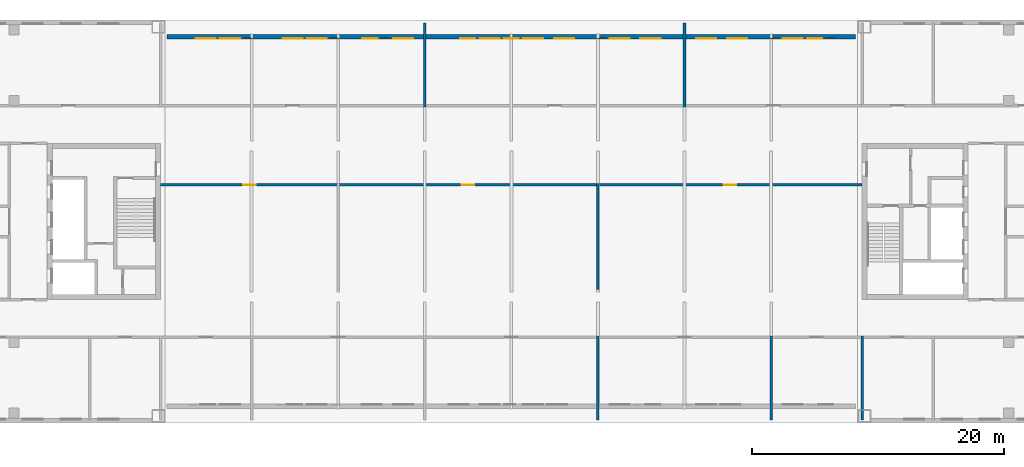
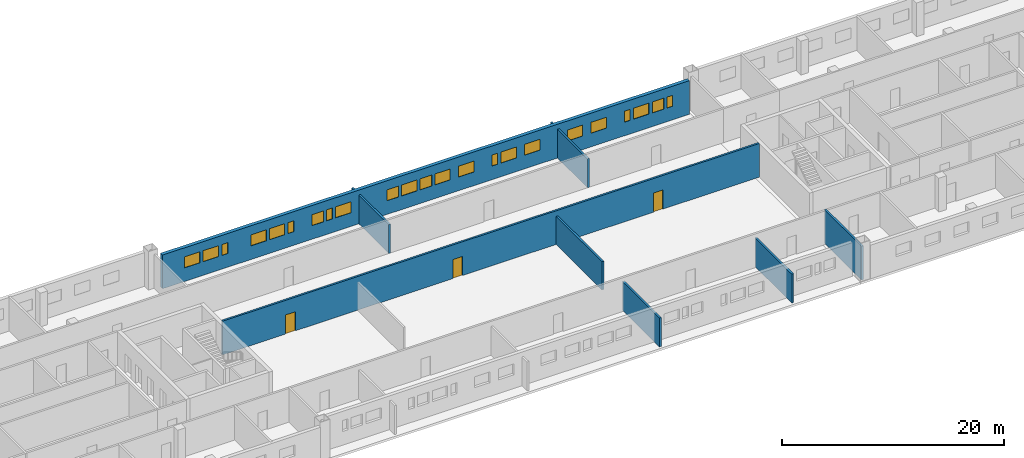
# One storey, part 8 of 13: 23 windows, 8 walls, 3 doors, 26 openings.
"""IFC4 building model written with IfcOpenShell, lengths in metres."""

from ifc_helpers import new_model, si_unit, direction, frame, frame_2d, origin, place, context, subcontext, project, spatial, rectangle, extrude, material, layer, layer_set, type_object, element, fill, save


model = new_model("IFC4")

# Units and contexts
model_context = context("Model", 3, precision=1e-05, world=origin(), true_north=direction((0.0, 1.0)))
body_context = subcontext(model_context, "Body", "Model", "MODEL_VIEW")
ifc_project = project(units=[si_unit("LENGTHUNIT", "METRE"), si_unit("AREAUNIT", "SQUARE_METRE"), si_unit("VOLUMEUNIT", "CUBIC_METRE"), si_unit("PLANEANGLEUNIT", "RADIAN"), si_unit("MASSUNIT", "GRAM", prefix="KILO")], contexts=[model_context])

# Site, building, storey
site_placement = place(None, origin())
site = spatial("IfcSite", under=ifc_project, at=site_placement, CompositionType="ELEMENT")
building_placement = place(site_placement, origin())
building = spatial("IfcBuilding", under=site, at=building_placement, Name="Tuart Gate Housing", CompositionType="ELEMENT")
storey_placement = place(building_placement, frame((0.0, 0.0, 198.60009765625)))
storey = spatial("IfcBuildingStorey", under=building, at=storey_placement, Name="L56", CompositionType="ELEMENT", Elevation=198.60009765625)

# Wall, openings, windows
ifc_material_1 = material(Name="Brick", Category="masonry")
ifc_layer_1 = layer(ifc_material_1, 0.360107421875)
ifc_layer_set_1 = layer_set([ifc_layer_1], Name="Brick pier and spandrel wall 360")
wall_type_1 = type_object("IfcWallType", Name="Brick pier and spandrel wall 360", PredefinedType="STANDARD", material=ifc_layer_set_1)
wall_1_placement = place(storey_placement, frame((130.85009765625, 84.659912109375, 0.0), z_axis=(0.0, 0.0, 1.0), x_axis=(-1.0, 0.0, 0.0)))
wall_1 = element("IfcWall", 1, at=wall_1_placement, inside=storey, type_object=wall_type_1, Name="External wall BLK-N L56", PredefinedType="STANDARD", context=body_context, shape_type="SweptSolid", body=[
    extrude(rectangle(XDim=54.7001953125, YDim=0.360107421875, at=frame_2d((27.35009765625, 0.0))), origin(), (0.0, 0.0, 1.0), 3.699951171875),
])
opening_1_placement = place(wall_1_placement, frame((1.75, 0.0, 1.5)))
opening_1 = element("IfcOpeningElement", 2, at=opening_1_placement, cuts=wall_1, Name="Opening W3C", PredefinedType="OPENING", context=body_context, shape_type="SweptSolid", body=[
    extrude(rectangle(XDim=0.60009765625, YDim=1.199951171875, at=frame_2d((0.300048828125, 0.60009765625))), frame((0.0, 0.18994140625, 0.0), z_axis=(0.0, -1.0, 0.0), x_axis=(1.0, 0.0, 0.0)), (0.0, 0.0, 1.0), 0.380126953125),
])
opening_2_placement = place(wall_1_placement, frame((4.206298828125, 0.0, 1.5)))
opening_2 = element("IfcOpeningElement", 3, at=opening_2_placement, cuts=wall_1, Name="Opening W3", PredefinedType="OPENING", context=body_context, shape_type="SweptSolid", body=[
    extrude(rectangle(XDim=1.60009765625, YDim=1.199951171875, at=frame_2d((0.800048828125, 0.60009765625))), frame((0.0, 0.18994140625, 0.0), z_axis=(0.0, -1.0, 0.0), x_axis=(1.0, 0.0, 0.0)), (0.0, 0.0, 1.0), 0.380126953125),
])
opening_3_placement = place(wall_1_placement, frame((2.64990234375, 0.0, 1.5)))
opening_3 = element("IfcOpeningElement", 4, at=opening_3_placement, cuts=wall_1, Name="Opening W3A", PredefinedType="OPENING", context=body_context, shape_type="SweptSolid", body=[
    extrude(rectangle(XDim=1.199951171875, YDim=1.199951171875, at=frame_2d((0.60009765625, 0.60009765625))), frame((0.0, 0.18994140625, 0.0), z_axis=(0.0, -1.0, 0.0), x_axis=(1.0, 0.0, 0.0)), (0.0, 0.0, 1.0), 0.380126953125),
])
opening_4_placement = place(wall_1_placement, frame((11.081298828125, 0.0, 1.5)))
opening_4 = element("IfcOpeningElement", 5, at=opening_4_placement, cuts=wall_1, Name="Opening W3", PredefinedType="OPENING", context=body_context, shape_type="SweptSolid", body=[
    extrude(rectangle(XDim=1.60009765625, YDim=1.199951171875, at=frame_2d((0.800048828125, 0.60009765625))), frame((0.0, 0.18994140625, 0.0), z_axis=(0.0, -1.0, 0.0), x_axis=(1.0, 0.0, 0.0)), (0.0, 0.0, 1.0), 0.380126953125),
])
opening_5_placement = place(wall_1_placement, frame((15.5, 0.0, 1.5)))
opening_5 = element("IfcOpeningElement", 6, at=opening_5_placement, cuts=wall_1, Name="Opening W3", PredefinedType="OPENING", context=body_context, shape_type="SweptSolid", body=[
    extrude(rectangle(XDim=1.60009765625, YDim=1.199951171875, at=frame_2d((0.800048828125, 0.60009765625))), frame((0.0, 0.18994140625, 0.0), z_axis=(0.0, -1.0, 0.0), x_axis=(1.0, 0.0, 0.0)), (0.0, 0.0, 1.0), 0.380126953125),
])
opening_6_placement = place(wall_1_placement, frame((17.956298828125, 0.0, 1.5)))
opening_6 = element("IfcOpeningElement", 7, at=opening_6_placement, cuts=wall_1, Name="Opening W3", PredefinedType="OPENING", context=body_context, shape_type="SweptSolid", body=[
    extrude(rectangle(XDim=1.60009765625, YDim=1.199951171875, at=frame_2d((0.800048828125, 0.60009765625))), frame((0.0, 0.18994140625, 0.0), z_axis=(0.0, -1.0, 0.0), x_axis=(1.0, 0.0, 0.0)), (0.0, 0.0, 1.0), 0.380126953125),
])
opening_7_placement = place(wall_1_placement, frame((19.89990234375, 0.0, 1.5)))
opening_7 = element("IfcOpeningElement", 8, at=opening_7_placement, cuts=wall_1, Name="Opening W3C", PredefinedType="OPENING", context=body_context, shape_type="SweptSolid", body=[
    extrude(rectangle(XDim=0.60009765625, YDim=1.199951171875, at=frame_2d((0.300048828125, 0.60009765625))), frame((0.0, 0.18994140625, 0.0), z_axis=(0.0, -1.0, 0.0), x_axis=(1.0, 0.0, 0.0)), (0.0, 0.0, 1.0), 0.380126953125),
])
opening_8_placement = place(wall_1_placement, frame((24.831298828125, 0.0, 1.5)))
opening_8 = element("IfcOpeningElement", 9, at=opening_8_placement, cuts=wall_1, Name="Opening W3", PredefinedType="OPENING", context=body_context, shape_type="SweptSolid", body=[
    extrude(rectangle(XDim=1.60009765625, YDim=1.199951171875, at=frame_2d((0.800048828125, 0.60009765625))), frame((0.0, 0.18994140625, 0.0), z_axis=(0.0, -1.0, 0.0), x_axis=(1.0, 0.0, 0.0)), (0.0, 0.0, 1.0), 0.380126953125),
])
opening_9_placement = place(wall_1_placement, frame((28.268798828125, 0.0, 1.5)))
opening_9 = element("IfcOpeningElement", 10, at=opening_9_placement, cuts=wall_1, Name="Opening W3", PredefinedType="OPENING", context=body_context, shape_type="SweptSolid", body=[
    extrude(rectangle(XDim=1.60009765625, YDim=1.199951171875, at=frame_2d((0.800048828125, 0.60009765625))), frame((0.0, 0.18994140625, 0.0), z_axis=(0.0, -1.0, 0.0), x_axis=(1.0, 0.0, 0.0)), (0.0, 0.0, 1.0), 0.380126953125),
])
opening_10_placement = place(wall_1_placement, frame((22.35009765625, 0.0, 1.5)))
opening_10 = element("IfcOpeningElement", 11, at=opening_10_placement, cuts=wall_1, Name="Opening W3", PredefinedType="OPENING", context=body_context, shape_type="SweptSolid", body=[
    extrude(rectangle(XDim=1.60009765625, YDim=1.199951171875, at=frame_2d((0.800048828125, 0.60009765625))), frame((0.0, 0.18994140625, 0.0), z_axis=(0.0, -1.0, 0.0), x_axis=(1.0, 0.0, 0.0)), (0.0, 0.0, 1.0), 0.380126953125),
])
opening_11_placement = place(wall_1_placement, frame((35.143798828125, 0.0, 1.5)))
opening_11 = element("IfcOpeningElement", 12, at=opening_11_placement, cuts=wall_1, Name="Opening W3", PredefinedType="OPENING", context=body_context, shape_type="SweptSolid", body=[
    extrude(rectangle(XDim=1.60009765625, YDim=1.199951171875, at=frame_2d((0.800048828125, 0.60009765625))), frame((0.0, 0.18994140625, 0.0), z_axis=(0.0, -1.0, 0.0), x_axis=(1.0, 0.0, 0.0)), (0.0, 0.0, 1.0), 0.380126953125),
])
opening_12_placement = place(wall_1_placement, frame((37.074951171875, 0.0, 1.5)))
opening_12 = element("IfcOpeningElement", 13, at=opening_12_placement, cuts=wall_1, Name="Opening W3C", PredefinedType="OPENING", context=body_context, shape_type="SweptSolid", body=[
    extrude(rectangle(XDim=0.60009765625, YDim=1.199951171875, at=frame_2d((0.300048828125, 0.60009765625))), frame((0.0, 0.18994140625, 0.0), z_axis=(0.0, -1.0, 0.0), x_axis=(1.0, 0.0, 0.0)), (0.0, 0.0, 1.0), 0.380126953125),
])
opening_13_placement = place(wall_1_placement, frame((42.018798828125, 0.0, 1.5)))
opening_13 = element("IfcOpeningElement", 14, at=opening_13_placement, cuts=wall_1, Name="Opening W3", PredefinedType="OPENING", context=body_context, shape_type="SweptSolid", body=[
    extrude(rectangle(XDim=1.60009765625, YDim=1.199951171875, at=frame_2d((0.800048828125, 0.60009765625))), frame((0.0, 0.18994140625, 0.0), z_axis=(0.0, -1.0, 0.0), x_axis=(1.0, 0.0, 0.0)), (0.0, 0.0, 1.0), 0.380126953125),
])
opening_14_placement = place(wall_1_placement, frame((37.97509765625, 0.0, 1.5)))
opening_14 = element("IfcOpeningElement", 15, at=opening_14_placement, cuts=wall_1, Name="Opening W3A", PredefinedType="OPENING", context=body_context, shape_type="SweptSolid", body=[
    extrude(rectangle(XDim=1.199951171875, YDim=1.199951171875, at=frame_2d((0.60009765625, 0.60009765625))), frame((0.0, 0.18994140625, 0.0), z_axis=(0.0, -1.0, 0.0), x_axis=(1.0, 0.0, 0.0)), (0.0, 0.0, 1.0), 0.380126953125),
])
opening_15_placement = place(wall_1_placement, frame((48.893798828125, 0.0, 1.5)))
opening_15 = element("IfcOpeningElement", 16, at=opening_15_placement, cuts=wall_1, Name="Opening W3", PredefinedType="OPENING", context=body_context, shape_type="SweptSolid", body=[
    extrude(rectangle(XDim=1.60009765625, YDim=1.199951171875, at=frame_2d((0.800048828125, 0.60009765625))), frame((0.0, 0.18994140625, 0.0), z_axis=(0.0, -1.0, 0.0), x_axis=(1.0, 0.0, 0.0)), (0.0, 0.0, 1.0), 0.380126953125),
])
opening_16_placement = place(wall_1_placement, frame((41.074951171875, 0.0, 1.5)))
opening_16 = element("IfcOpeningElement", 17, at=opening_16_placement, cuts=wall_1, Name="Opening W3C", PredefinedType="OPENING", context=body_context, shape_type="SweptSolid", body=[
    extrude(rectangle(XDim=0.60009765625, YDim=1.199951171875, at=frame_2d((0.300048828125, 0.60009765625))), frame((0.0, 0.18994140625, 0.0), z_axis=(0.0, -1.0, 0.0), x_axis=(1.0, 0.0, 0.0)), (0.0, 0.0, 1.0), 0.380126953125),
])
opening_17_placement = place(wall_1_placement, frame((6.14990234375, 0.0, 1.5)))
opening_17 = element("IfcOpeningElement", 18, at=opening_17_placement, cuts=wall_1, Name="Opening W3C", PredefinedType="OPENING", context=body_context, shape_type="SweptSolid", body=[
    extrude(rectangle(XDim=0.60009765625, YDim=1.199951171875, at=frame_2d((0.300048828125, 0.60009765625))), frame((0.0, 0.18994140625, 0.0), z_axis=(0.0, -1.0, 0.0), x_axis=(1.0, 0.0, 0.0)), (0.0, 0.0, 1.0), 0.380126953125),
])
opening_18_placement = place(wall_1_placement, frame((8.60009765625, 0.0, 1.5)))
opening_18 = element("IfcOpeningElement", 19, at=opening_18_placement, cuts=wall_1, Name="Opening W3", PredefinedType="OPENING", context=body_context, shape_type="SweptSolid", body=[
    extrude(rectangle(XDim=1.60009765625, YDim=1.199951171875, at=frame_2d((0.800048828125, 0.60009765625))), frame((0.0, 0.18994140625, 0.0), z_axis=(0.0, -1.0, 0.0), x_axis=(1.0, 0.0, 0.0)), (0.0, 0.0, 1.0), 0.380126953125),
])
opening_19_placement = place(wall_1_placement, frame((26.75, 0.0, 1.5)))
opening_19 = element("IfcOpeningElement", 20, at=opening_19_placement, cuts=wall_1, Name="Opening W3A", PredefinedType="OPENING", context=body_context, shape_type="SweptSolid", body=[
    extrude(rectangle(XDim=1.199951171875, YDim=1.199951171875, at=frame_2d((0.60009765625, 0.60009765625))), frame((0.0, 0.18994140625, 0.0), z_axis=(0.0, -1.0, 0.0), x_axis=(1.0, 0.0, 0.0)), (0.0, 0.0, 1.0), 0.380126953125),
])
opening_20_placement = place(wall_1_placement, frame((30.199951171875, 0.0, 1.5)))
opening_20 = element("IfcOpeningElement", 21, at=opening_20_placement, cuts=wall_1, Name="Opening W3A", PredefinedType="OPENING", context=body_context, shape_type="SweptSolid", body=[
    extrude(rectangle(XDim=1.199951171875, YDim=1.199951171875, at=frame_2d((0.60009765625, 0.60009765625))), frame((0.0, 0.18994140625, 0.0), z_axis=(0.0, -1.0, 0.0), x_axis=(1.0, 0.0, 0.0)), (0.0, 0.0, 1.0), 0.380126953125),
])
opening_21_placement = place(wall_1_placement, frame((43.925048828125, 0.0, 1.5)))
opening_21 = element("IfcOpeningElement", 22, at=opening_21_placement, cuts=wall_1, Name="Opening W3", PredefinedType="OPENING", context=body_context, shape_type="SweptSolid", body=[
    extrude(rectangle(XDim=1.60009765625, YDim=1.199951171875, at=frame_2d((0.800048828125, 0.60009765625))), frame((0.0, 0.18994140625, 0.0), z_axis=(0.0, -1.0, 0.0), x_axis=(1.0, 0.0, 0.0)), (0.0, 0.0, 1.0), 0.380126953125),
])
opening_22_placement = place(wall_1_placement, frame((47.925048828125, 0.0, 1.5)))
opening_22 = element("IfcOpeningElement", 23, at=opening_22_placement, cuts=wall_1, Name="Opening W3C", PredefinedType="OPENING", context=body_context, shape_type="SweptSolid", body=[
    extrude(rectangle(XDim=0.60009765625, YDim=1.199951171875, at=frame_2d((0.300048828125, 0.60009765625))), frame((0.0, 0.18994140625, 0.0), z_axis=(0.0, -1.0, 0.0), x_axis=(1.0, 0.0, 0.0)), (0.0, 0.0, 1.0), 0.380126953125),
])
opening_23_placement = place(wall_1_placement, frame((50.824951171875, 0.0, 1.5)))
opening_23 = element("IfcOpeningElement", 24, at=opening_23_placement, cuts=wall_1, Name="Opening W3", PredefinedType="OPENING", context=body_context, shape_type="SweptSolid", body=[
    extrude(rectangle(XDim=1.60009765625, YDim=1.199951171875, at=frame_2d((0.800048828125, 0.60009765625))), frame((0.0, 0.18994140625, 0.0), z_axis=(0.0, -1.0, 0.0), x_axis=(1.0, 0.0, 0.0)), (0.0, 0.0, 1.0), 0.380126953125),
])
ifc_material_2 = material(Name="Aluminium louvre blades", Category="aluminium")
window_type_1 = type_object("IfcWindowType", Name="Louvre window 1200 x 1200", PartitioningType="DOUBLE_PANEL_HORIZONTAL", PredefinedType="WINDOW", material=ifc_material_2)
window_1_placement = place(opening_3_placement, origin())
window_1 = element("IfcWindow", 25, at=window_1_placement, inside=storey, type_object=window_type_1, Name="Louvre W3A", OverallHeight=1.199951171875, OverallWidth=1.199951171875, PartitioningType="DOUBLE_PANEL_HORIZONTAL", PredefinedType="WINDOW", context=body_context, shape_type="SweptSolid", body=[
    extrude(rectangle(XDim=1.199951171875, YDim=1.199951171875, at=frame_2d((0.60009765625, 0.60009765625))), frame((0.0, 0.150146484375, 0.0), z_axis=(0.0, -1.0, 0.0), x_axis=(1.0, 0.0, 0.0)), (0.0, 0.0, 1.0), 0.06005859375),
])
fill(opening_3, window_1)
window_2_placement = place(opening_14_placement, origin())
window_2 = element("IfcWindow", 26, at=window_2_placement, inside=storey, type_object=window_type_1, Name="Louvre W3A", OverallHeight=1.199951171875, OverallWidth=1.199951171875, PartitioningType="DOUBLE_PANEL_HORIZONTAL", PredefinedType="WINDOW", context=body_context, shape_type="SweptSolid", body=[
    extrude(rectangle(XDim=1.199951171875, YDim=1.199951171875, at=frame_2d((0.60009765625, 0.60009765625))), frame((0.0, 0.150146484375, 0.0), z_axis=(0.0, -1.0, 0.0), x_axis=(1.0, 0.0, 0.0)), (0.0, 0.0, 1.0), 0.06005859375),
])
fill(opening_14, window_2)
window_3_placement = place(opening_19_placement, origin())
window_3 = element("IfcWindow", 27, at=window_3_placement, inside=storey, type_object=window_type_1, Name="Louvre W3A", OverallHeight=1.199951171875, OverallWidth=1.199951171875, PartitioningType="DOUBLE_PANEL_HORIZONTAL", PredefinedType="WINDOW", context=body_context, shape_type="SweptSolid", body=[
    extrude(rectangle(XDim=1.199951171875, YDim=1.199951171875, at=frame_2d((0.60009765625, 0.60009765625))), frame((0.0, 0.150146484375, 0.0), z_axis=(0.0, -1.0, 0.0), x_axis=(1.0, 0.0, 0.0)), (0.0, 0.0, 1.0), 0.06005859375),
])
fill(opening_19, window_3)
window_4_placement = place(opening_20_placement, origin())
window_4 = element("IfcWindow", 28, at=window_4_placement, inside=storey, type_object=window_type_1, Name="Louvre W3A", OverallHeight=1.199951171875, OverallWidth=1.199951171875, PartitioningType="DOUBLE_PANEL_HORIZONTAL", PredefinedType="WINDOW", context=body_context, shape_type="SweptSolid", body=[
    extrude(rectangle(XDim=1.199951171875, YDim=1.199951171875, at=frame_2d((0.60009765625, 0.60009765625))), frame((0.0, 0.150146484375, 0.0), z_axis=(0.0, -1.0, 0.0), x_axis=(1.0, 0.0, 0.0)), (0.0, 0.0, 1.0), 0.06005859375),
])
fill(opening_20, window_4)
ifc_material_3 = material(Name="Aluminium louvre blades", Category="aluminium")
window_type_2 = type_object("IfcWindowType", Name="Louvre window 1600 x 1200", PartitioningType="DOUBLE_PANEL_HORIZONTAL", PredefinedType="WINDOW", material=ifc_material_3)
window_5_placement = place(opening_2_placement, origin())
window_5 = element("IfcWindow", 29, at=window_5_placement, inside=storey, type_object=window_type_2, Name="Louvre W3", OverallHeight=1.199951171875, OverallWidth=1.60009765625, PartitioningType="DOUBLE_PANEL_HORIZONTAL", PredefinedType="WINDOW", context=body_context, shape_type="SweptSolid", body=[
    extrude(rectangle(XDim=1.60009765625, YDim=1.199951171875, at=frame_2d((0.800048828125, 0.60009765625))), frame((0.0, 0.150146484375, 0.0), z_axis=(0.0, -1.0, 0.0), x_axis=(1.0, 0.0, 0.0)), (0.0, 0.0, 1.0), 0.06005859375),
])
fill(opening_2, window_5)
window_6_placement = place(opening_4_placement, origin())
window_6 = element("IfcWindow", 30, at=window_6_placement, inside=storey, type_object=window_type_2, Name="Louvre W3", OverallHeight=1.199951171875, OverallWidth=1.60009765625, PartitioningType="DOUBLE_PANEL_HORIZONTAL", PredefinedType="WINDOW", context=body_context, shape_type="SweptSolid", body=[
    extrude(rectangle(XDim=1.60009765625, YDim=1.199951171875, at=frame_2d((0.800048828125, 0.60009765625))), frame((0.0, 0.150146484375, 0.0), z_axis=(0.0, -1.0, 0.0), x_axis=(1.0, 0.0, 0.0)), (0.0, 0.0, 1.0), 0.06005859375),
])
fill(opening_4, window_6)
window_7_placement = place(opening_5_placement, origin())
window_7 = element("IfcWindow", 31, at=window_7_placement, inside=storey, type_object=window_type_2, Name="Louvre W3", OverallHeight=1.199951171875, OverallWidth=1.60009765625, PartitioningType="DOUBLE_PANEL_HORIZONTAL", PredefinedType="WINDOW", context=body_context, shape_type="SweptSolid", body=[
    extrude(rectangle(XDim=1.60009765625, YDim=1.199951171875, at=frame_2d((0.800048828125, 0.60009765625))), frame((0.0, 0.150146484375, 0.0), z_axis=(0.0, -1.0, 0.0), x_axis=(1.0, 0.0, 0.0)), (0.0, 0.0, 1.0), 0.06005859375),
])
fill(opening_5, window_7)
window_8_placement = place(opening_6_placement, origin())
window_8 = element("IfcWindow", 32, at=window_8_placement, inside=storey, type_object=window_type_2, Name="Louvre W3", OverallHeight=1.199951171875, OverallWidth=1.60009765625, PartitioningType="DOUBLE_PANEL_HORIZONTAL", PredefinedType="WINDOW", context=body_context, shape_type="SweptSolid", body=[
    extrude(rectangle(XDim=1.60009765625, YDim=1.199951171875, at=frame_2d((0.800048828125, 0.60009765625))), frame((0.0, 0.150146484375, 0.0), z_axis=(0.0, -1.0, 0.0), x_axis=(1.0, 0.0, 0.0)), (0.0, 0.0, 1.0), 0.06005859375),
])
fill(opening_6, window_8)
window_9_placement = place(opening_8_placement, origin())
window_9 = element("IfcWindow", 33, at=window_9_placement, inside=storey, type_object=window_type_2, Name="Louvre W3", OverallHeight=1.199951171875, OverallWidth=1.60009765625, PartitioningType="DOUBLE_PANEL_HORIZONTAL", PredefinedType="WINDOW", context=body_context, shape_type="SweptSolid", body=[
    extrude(rectangle(XDim=1.60009765625, YDim=1.199951171875, at=frame_2d((0.800048828125, 0.60009765625))), frame((0.0, 0.150146484375, 0.0), z_axis=(0.0, -1.0, 0.0), x_axis=(1.0, 0.0, 0.0)), (0.0, 0.0, 1.0), 0.06005859375),
])
fill(opening_8, window_9)
window_10_placement = place(opening_9_placement, origin())
window_10 = element("IfcWindow", 34, at=window_10_placement, inside=storey, type_object=window_type_2, Name="Louvre W3", OverallHeight=1.199951171875, OverallWidth=1.60009765625, PartitioningType="DOUBLE_PANEL_HORIZONTAL", PredefinedType="WINDOW", context=body_context, shape_type="SweptSolid", body=[
    extrude(rectangle(XDim=1.60009765625, YDim=1.199951171875, at=frame_2d((0.800048828125, 0.60009765625))), frame((0.0, 0.150146484375, 0.0), z_axis=(0.0, -1.0, 0.0), x_axis=(1.0, 0.0, 0.0)), (0.0, 0.0, 1.0), 0.06005859375),
])
fill(opening_9, window_10)
window_11_placement = place(opening_10_placement, origin())
window_11 = element("IfcWindow", 35, at=window_11_placement, inside=storey, type_object=window_type_2, Name="Louvre W3", OverallHeight=1.199951171875, OverallWidth=1.60009765625, PartitioningType="DOUBLE_PANEL_HORIZONTAL", PredefinedType="WINDOW", context=body_context, shape_type="SweptSolid", body=[
    extrude(rectangle(XDim=1.60009765625, YDim=1.199951171875, at=frame_2d((0.800048828125, 0.60009765625))), frame((0.0, 0.150146484375, 0.0), z_axis=(0.0, -1.0, 0.0), x_axis=(1.0, 0.0, 0.0)), (0.0, 0.0, 1.0), 0.06005859375),
])
fill(opening_10, window_11)
window_12_placement = place(opening_11_placement, origin())
window_12 = element("IfcWindow", 36, at=window_12_placement, inside=storey, type_object=window_type_2, Name="Louvre W3", OverallHeight=1.199951171875, OverallWidth=1.60009765625, PartitioningType="DOUBLE_PANEL_HORIZONTAL", PredefinedType="WINDOW", context=body_context, shape_type="SweptSolid", body=[
    extrude(rectangle(XDim=1.60009765625, YDim=1.199951171875, at=frame_2d((0.800048828125, 0.60009765625))), frame((0.0, 0.150146484375, 0.0), z_axis=(0.0, -1.0, 0.0), x_axis=(1.0, 0.0, 0.0)), (0.0, 0.0, 1.0), 0.06005859375),
])
fill(opening_11, window_12)
window_13_placement = place(opening_13_placement, origin())
window_13 = element("IfcWindow", 37, at=window_13_placement, inside=storey, type_object=window_type_2, Name="Louvre W3", OverallHeight=1.199951171875, OverallWidth=1.60009765625, PartitioningType="DOUBLE_PANEL_HORIZONTAL", PredefinedType="WINDOW", context=body_context, shape_type="SweptSolid", body=[
    extrude(rectangle(XDim=1.60009765625, YDim=1.199951171875, at=frame_2d((0.800048828125, 0.60009765625))), frame((0.0, 0.150146484375, 0.0), z_axis=(0.0, -1.0, 0.0), x_axis=(1.0, 0.0, 0.0)), (0.0, 0.0, 1.0), 0.06005859375),
])
fill(opening_13, window_13)
window_14_placement = place(opening_15_placement, origin())
window_14 = element("IfcWindow", 38, at=window_14_placement, inside=storey, type_object=window_type_2, Name="Louvre W3", OverallHeight=1.199951171875, OverallWidth=1.60009765625, PartitioningType="DOUBLE_PANEL_HORIZONTAL", PredefinedType="WINDOW", context=body_context, shape_type="SweptSolid", body=[
    extrude(rectangle(XDim=1.60009765625, YDim=1.199951171875, at=frame_2d((0.800048828125, 0.60009765625))), frame((0.0, 0.150146484375, 0.0), z_axis=(0.0, -1.0, 0.0), x_axis=(1.0, 0.0, 0.0)), (0.0, 0.0, 1.0), 0.06005859375),
])
fill(opening_15, window_14)
window_15_placement = place(opening_18_placement, origin())
window_15 = element("IfcWindow", 39, at=window_15_placement, inside=storey, type_object=window_type_2, Name="Louvre W3", OverallHeight=1.199951171875, OverallWidth=1.60009765625, PartitioningType="DOUBLE_PANEL_HORIZONTAL", PredefinedType="WINDOW", context=body_context, shape_type="SweptSolid", body=[
    extrude(rectangle(XDim=1.60009765625, YDim=1.199951171875, at=frame_2d((0.800048828125, 0.60009765625))), frame((0.0, 0.150146484375, 0.0), z_axis=(0.0, -1.0, 0.0), x_axis=(1.0, 0.0, 0.0)), (0.0, 0.0, 1.0), 0.06005859375),
])
fill(opening_18, window_15)
window_16_placement = place(opening_21_placement, origin())
window_16 = element("IfcWindow", 40, at=window_16_placement, inside=storey, type_object=window_type_2, Name="Louvre W3", OverallHeight=1.199951171875, OverallWidth=1.60009765625, PartitioningType="DOUBLE_PANEL_HORIZONTAL", PredefinedType="WINDOW", context=body_context, shape_type="SweptSolid", body=[
    extrude(rectangle(XDim=1.60009765625, YDim=1.199951171875, at=frame_2d((0.800048828125, 0.60009765625))), frame((0.0, 0.150146484375, 0.0), z_axis=(0.0, -1.0, 0.0), x_axis=(1.0, 0.0, 0.0)), (0.0, 0.0, 1.0), 0.06005859375),
])
fill(opening_21, window_16)
window_17_placement = place(opening_23_placement, origin())
window_17 = element("IfcWindow", 41, at=window_17_placement, inside=storey, type_object=window_type_2, Name="Louvre W3", OverallHeight=1.199951171875, OverallWidth=1.60009765625, PartitioningType="DOUBLE_PANEL_HORIZONTAL", PredefinedType="WINDOW", context=body_context, shape_type="SweptSolid", body=[
    extrude(rectangle(XDim=1.60009765625, YDim=1.199951171875, at=frame_2d((0.800048828125, 0.60009765625))), frame((0.0, 0.150146484375, 0.0), z_axis=(0.0, -1.0, 0.0), x_axis=(1.0, 0.0, 0.0)), (0.0, 0.0, 1.0), 0.06005859375),
])
fill(opening_23, window_17)
ifc_material_4 = material(Name="Aluminium louvre blades", Category="aluminium")
window_type_3 = type_object("IfcWindowType", Name="Louvre window 600 x 1200", PartitioningType="DOUBLE_PANEL_HORIZONTAL", PredefinedType="WINDOW", material=ifc_material_4)
window_18_placement = place(opening_1_placement, origin())
window_18 = element("IfcWindow", 42, at=window_18_placement, inside=storey, type_object=window_type_3, Name="Louvre W3C", OverallHeight=1.199951171875, OverallWidth=0.60009765625, PartitioningType="DOUBLE_PANEL_HORIZONTAL", PredefinedType="WINDOW", context=body_context, shape_type="SweptSolid", body=[
    extrude(rectangle(XDim=0.60009765625, YDim=1.199951171875, at=frame_2d((0.300048828125, 0.60009765625))), frame((0.0, 0.150146484375, 0.0), z_axis=(0.0, -1.0, 0.0), x_axis=(1.0, 0.0, 0.0)), (0.0, 0.0, 1.0), 0.06005859375),
])
fill(opening_1, window_18)
window_19_placement = place(opening_7_placement, origin())
window_19 = element("IfcWindow", 43, at=window_19_placement, inside=storey, type_object=window_type_3, Name="Louvre W3C", OverallHeight=1.199951171875, OverallWidth=0.60009765625, PartitioningType="DOUBLE_PANEL_HORIZONTAL", PredefinedType="WINDOW", context=body_context, shape_type="SweptSolid", body=[
    extrude(rectangle(XDim=0.60009765625, YDim=1.199951171875, at=frame_2d((0.300048828125, 0.60009765625))), frame((0.0, 0.150146484375, 0.0), z_axis=(0.0, -1.0, 0.0), x_axis=(1.0, 0.0, 0.0)), (0.0, 0.0, 1.0), 0.06005859375),
])
fill(opening_7, window_19)
window_20_placement = place(opening_12_placement, origin())
window_20 = element("IfcWindow", 44, at=window_20_placement, inside=storey, type_object=window_type_3, Name="Louvre W3C", OverallHeight=1.199951171875, OverallWidth=0.60009765625, PartitioningType="DOUBLE_PANEL_HORIZONTAL", PredefinedType="WINDOW", context=body_context, shape_type="SweptSolid", body=[
    extrude(rectangle(XDim=0.60009765625, YDim=1.199951171875, at=frame_2d((0.300048828125, 0.60009765625))), frame((0.0, 0.150146484375, 0.0), z_axis=(0.0, -1.0, 0.0), x_axis=(1.0, 0.0, 0.0)), (0.0, 0.0, 1.0), 0.06005859375),
])
fill(opening_12, window_20)
window_21_placement = place(opening_16_placement, origin())
window_21 = element("IfcWindow", 45, at=window_21_placement, inside=storey, type_object=window_type_3, Name="Louvre W3C", OverallHeight=1.199951171875, OverallWidth=0.60009765625, PartitioningType="DOUBLE_PANEL_HORIZONTAL", PredefinedType="WINDOW", context=body_context, shape_type="SweptSolid", body=[
    extrude(rectangle(XDim=0.60009765625, YDim=1.199951171875, at=frame_2d((0.300048828125, 0.60009765625))), frame((0.0, 0.150146484375, 0.0), z_axis=(0.0, -1.0, 0.0), x_axis=(1.0, 0.0, 0.0)), (0.0, 0.0, 1.0), 0.06005859375),
])
fill(opening_16, window_21)
window_22_placement = place(opening_17_placement, origin())
window_22 = element("IfcWindow", 46, at=window_22_placement, inside=storey, type_object=window_type_3, Name="Louvre W3C", OverallHeight=1.199951171875, OverallWidth=0.60009765625, PartitioningType="DOUBLE_PANEL_HORIZONTAL", PredefinedType="WINDOW", context=body_context, shape_type="SweptSolid", body=[
    extrude(rectangle(XDim=0.60009765625, YDim=1.199951171875, at=frame_2d((0.300048828125, 0.60009765625))), frame((0.0, 0.150146484375, 0.0), z_axis=(0.0, -1.0, 0.0), x_axis=(1.0, 0.0, 0.0)), (0.0, 0.0, 1.0), 0.06005859375),
])
fill(opening_17, window_22)
window_23_placement = place(opening_22_placement, origin())
window_23 = element("IfcWindow", 47, at=window_23_placement, inside=storey, type_object=window_type_3, Name="Louvre W3C", OverallHeight=1.199951171875, OverallWidth=0.60009765625, PartitioningType="DOUBLE_PANEL_HORIZONTAL", PredefinedType="WINDOW", context=body_context, shape_type="SweptSolid", body=[
    extrude(rectangle(XDim=0.60009765625, YDim=1.199951171875, at=frame_2d((0.300048828125, 0.60009765625))), frame((0.0, 0.150146484375, 0.0), z_axis=(0.0, -1.0, 0.0), x_axis=(1.0, 0.0, 0.0)), (0.0, 0.0, 1.0), 0.06005859375),
])
fill(opening_22, window_23)

# Wall, openings, doors
ifc_material_5 = material(Name="Concrete masonry 15 MPa", Category="masonry")
ifc_layer_2 = layer(ifc_material_5, 0.199951171875)
ifc_layer_set_2 = layer_set([ifc_layer_2], Name="Enclosure wall masonry 200")
wall_type_2 = type_object("IfcWallType", Name="Enclosure wall masonry 200", PredefinedType="PARTITIONING", material=ifc_layer_set_2)
wall_2_placement = place(storey_placement, frame((75.639892578125, 72.89990234375, 0.0), z_axis=(0.0, 0.0, 1.0), x_axis=(1.0, 0.0, 0.0)))
wall_2 = element("IfcWall", 48, at=wall_2_placement, inside=storey, type_object=wall_type_2, Name="Enclosure wall masonry 200", PredefinedType="PARTITIONING", context=body_context, shape_type="SweptSolid", body=[
    extrude(rectangle(XDim=55.72021484375, YDim=0.199951171875, at=frame_2d((27.860107421875, 0.0))), origin(), (0.0, 0.0, 1.0), 3.699951171875),
])
opening_24_placement = place(wall_2_placement, frame((6.554931640625, 0.0, 0.0)))
opening_24 = element("IfcOpeningElement", 49, at=opening_24_placement, cuts=wall_2, Name="Opening D3593", PredefinedType="OPENING", context=body_context, shape_type="SweptSolid", body=[
    extrude(rectangle(XDim=1.0, YDim=2.10009765625, at=frame_2d((0.5, 1.050048828125))), frame((0.0, 0.10986328125, 0.0), z_axis=(0.0, -1.0, 0.0), x_axis=(1.0, 0.0, 0.0)), (0.0, 0.0, 1.0), 0.219970703125),
])
opening_25_placement = place(wall_2_placement, frame((23.922119140625, 0.0, 0.0)))
opening_25 = element("IfcOpeningElement", 50, at=opening_25_placement, cuts=wall_2, Name="Opening D3594", PredefinedType="OPENING", context=body_context, shape_type="SweptSolid", body=[
    extrude(rectangle(XDim=1.0, YDim=2.10009765625, at=frame_2d((0.5, 1.050048828125))), frame((0.0, 0.10986328125, 0.0), z_axis=(0.0, -1.0, 0.0), x_axis=(1.0, 0.0, 0.0)), (0.0, 0.0, 1.0), 0.219970703125),
])
opening_26_placement = place(wall_2_placement, frame((44.72802734375, 0.0, 0.0)))
opening_26 = element("IfcOpeningElement", 51, at=opening_26_placement, cuts=wall_2, Name="Opening D3595", PredefinedType="OPENING", context=body_context, shape_type="SweptSolid", body=[
    extrude(rectangle(XDim=1.0, YDim=2.10009765625, at=frame_2d((0.5, 1.050048828125))), frame((0.0, 0.10986328125, 0.0), z_axis=(0.0, -1.0, 0.0), x_axis=(1.0, 0.0, 0.0)), (0.0, 0.0, 1.0), 0.219970703125),
])
ifc_material_6 = material(Name="Timber door leaf in steel frame", Category="steel")
door_type_1 = type_object("IfcDoorType", Name="Fire door 1000", OperationType="SINGLE_SWING_LEFT", PredefinedType="DOOR", material=ifc_material_6)
door_1_placement = place(opening_26_placement, frame((1.0, 0.0, 0.0), z_axis=(0.0, 0.0, 1.0), x_axis=(-1.0, 0.0, 0.0)))
door_1 = element("IfcDoor", 52, at=door_1_placement, inside=storey, type_object=door_type_1, Name="Fire door 1000", OperationType="SINGLE_SWING_LEFT", OverallHeight=2.10009765625, OverallWidth=1.0, PredefinedType="DOOR", context=body_context, shape_type="SweptSolid", body=[
    extrude(rectangle(XDim=1.0, YDim=2.10009765625, at=frame_2d((0.5, 1.050048828125))), frame((0.0, 0.025146484375, 0.0), z_axis=(0.0, -1.0, 0.0), x_axis=(1.0, 0.0, 0.0)), (0.0, 0.0, 1.0), 0.050048828125),
])
fill(opening_26, door_1)
ifc_material_7 = material(Name="Timber door leaf in steel frame", Category="steel")
door_type_2 = type_object("IfcDoorType", Name="Fire door 1000 RH", OperationType="SINGLE_SWING_RIGHT", PredefinedType="DOOR", material=ifc_material_7)
door_2_placement = place(opening_24_placement, frame((1.0, 0.0, 0.0), z_axis=(0.0, 0.0, 1.0), x_axis=(-1.0, 0.0, 0.0)))
door_2 = element("IfcDoor", 53, at=door_2_placement, inside=storey, type_object=door_type_2, Name="Fire door 1000", OperationType="SINGLE_SWING_RIGHT", OverallHeight=2.10009765625, OverallWidth=1.0, PredefinedType="DOOR", context=body_context, shape_type="SweptSolid", body=[
    extrude(rectangle(XDim=1.0, YDim=2.10009765625, at=frame_2d((0.5, 1.050048828125))), frame((0.0, 0.025146484375, 0.0), z_axis=(0.0, -1.0, 0.0), x_axis=(1.0, 0.0, 0.0)), (0.0, 0.0, 1.0), 0.050048828125),
])
fill(opening_24, door_2)
door_3_placement = place(opening_25_placement, frame((1.0, 0.0, 0.0), z_axis=(0.0, 0.0, 1.0), x_axis=(-1.0, 0.0, 0.0)))
door_3 = element("IfcDoor", 54, at=door_3_placement, inside=storey, type_object=door_type_2, Name="Fire door 1000", OperationType="SINGLE_SWING_RIGHT", OverallHeight=2.10009765625, OverallWidth=1.0, PredefinedType="DOOR", context=body_context, shape_type="SweptSolid", body=[
    extrude(rectangle(XDim=1.0, YDim=2.10009765625, at=frame_2d((0.5, 1.050048828125))), frame((0.0, 0.025146484375, 0.0), z_axis=(0.0, -1.0, 0.0), x_axis=(1.0, 0.0, 0.0)), (0.0, 0.0, 1.0), 0.050048828125),
])
fill(opening_25, door_3)

# Walls
for number, where, z_axis, x_axis, name in (
    (55, (96.625, 79.10009765625, 0.0), (0.0, 0.0, 1.0), (0.0, 1.0, 0.0), "Enclosure wall masonry 200"),
    (56, (110.375, 54.239990234375, 0.0), (0.0, 0.0, 1.0), (0.0, 1.0, 0.0), "Enclosure wall masonry 200"),
):
    element("IfcWall", number, at=place(storey_placement, frame(where, z_axis=z_axis, x_axis=x_axis)), inside=storey, type_object=wall_type_2, Name=name, PredefinedType="PARTITIONING", context=body_context, shape_type="SweptSolid", body=[
        extrude(rectangle(XDim=6.659912109375, YDim=0.199951171875, at=frame_2d((3.330078125, 0.0))), origin(), (0.0, 0.0, 1.0), 3.1669921875),
    ])
wall_3_placement = place(storey_placement, frame((110.375, 64.580078125, 0.0), z_axis=(0.0, 0.0, 1.0), x_axis=(0.0, 1.0, 0.0)))
element("IfcWall", 57, at=wall_3_placement, inside=storey, type_object=wall_type_2, Name="Enclosure wall masonry 200", PredefinedType="PARTITIONING", context=body_context, shape_type="SweptSolid", body=[
    extrude(rectangle(XDim=8.419921875, YDim=0.199951171875, at=frame_2d((4.2099609375, 0.0))), origin(), (0.0, 0.0, 1.0), 3.087890625),
])
for number, where, z_axis, x_axis, name in (
    (58, (117.25, 79.10009765625, 0.0), (0.0, 0.0, 1.0), (0.0, 1.0, 0.0), "Enclosure wall masonry 200"),
    (59, (124.125, 54.239990234375, 0.0), (0.0, 0.0, 1.0), (0.0, 1.0, 0.0), "Enclosure wall masonry 200"),
):
    element("IfcWall", number, at=place(storey_placement, frame(where, z_axis=z_axis, x_axis=x_axis)), inside=storey, type_object=wall_type_2, Name=name, PredefinedType="PARTITIONING", context=body_context, shape_type="SweptSolid", body=[
        extrude(rectangle(XDim=6.659912109375, YDim=0.199951171875, at=frame_2d((3.330078125, 0.0))), origin(), (0.0, 0.0, 1.0), 3.1669921875),
    ])
wall_4_placement = place(storey_placement, frame((131.360107421875, 54.239990234375, 0.0), z_axis=(0.0, 0.0, 1.0), x_axis=(0.0, 1.0, 0.0)))
element("IfcWall", 60, at=wall_4_placement, inside=storey, type_object=wall_type_2, Name="Enclosure wall masonry 200", PredefinedType="PARTITIONING", context=body_context, shape_type="SweptSolid", body=[
    extrude(rectangle(XDim=6.659912109375, YDim=0.199951171875, at=frame_2d((3.330078125, 0.0))), origin(), (0.0, 0.0, 1.0), 3.699951171875),
])

save(model, "model.ifc")
